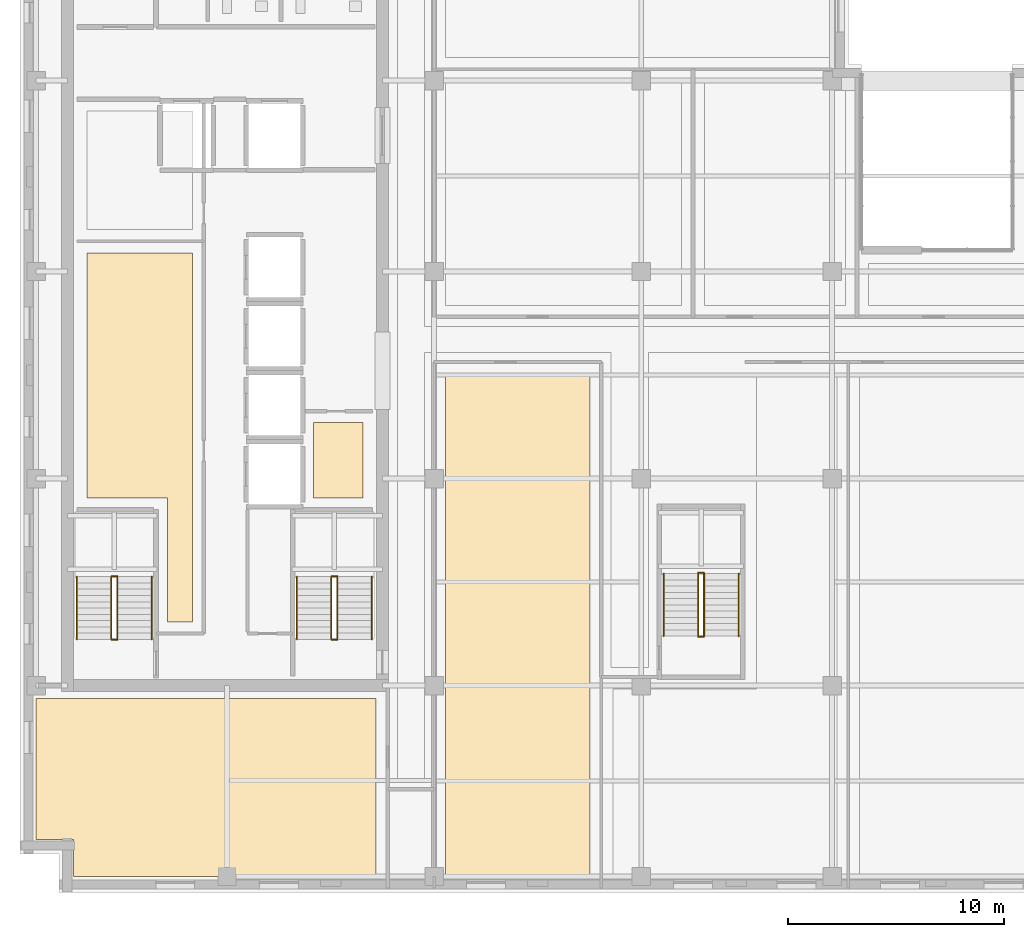
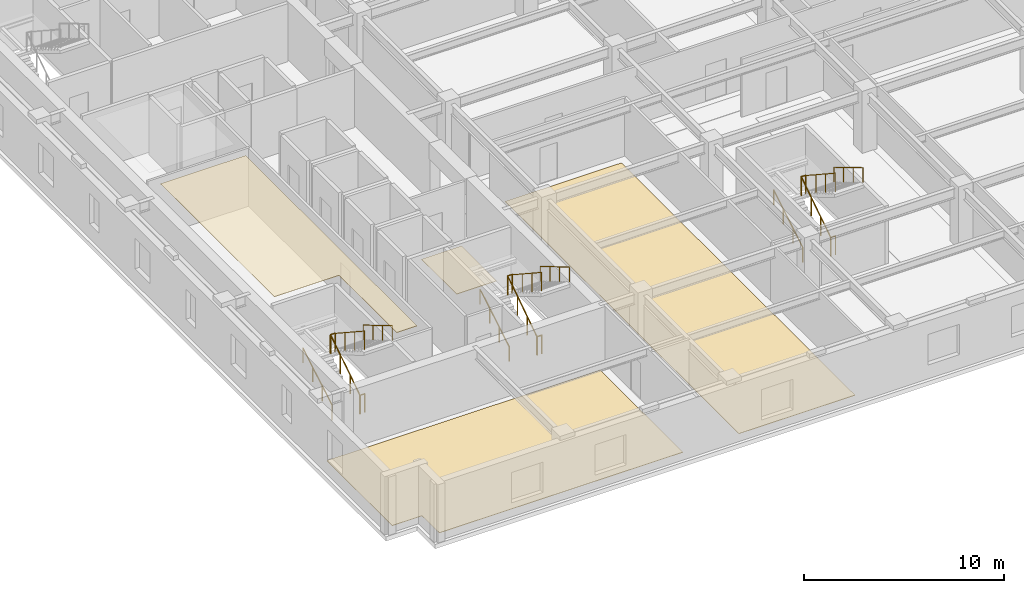
# One storey, part 8 of 12: 18 railings, 4 coverings.
"""IFC4 building model written with IfcOpenShell, lengths in metres."""

from ifc_helpers import new_model, si_unit, direction, frame, origin, origin_2d, place, context, subcontext, project, spatial, polyline, circle, outline, extrude, material, layer, layer_set, type_object, element, save


model = new_model("IFC4")

# Units and contexts
model_context = context("Model", 3, precision=1e-05, world=origin(), true_north=direction((0.0, 1.0)))
body_context = subcontext(model_context, "Body", "Model", "MODEL_VIEW")
ifc_project = project(units=[si_unit("LENGTHUNIT", "METRE"), si_unit("AREAUNIT", "SQUARE_METRE"), si_unit("VOLUMEUNIT", "CUBIC_METRE"), si_unit("PLANEANGLEUNIT", "RADIAN"), si_unit("MASSUNIT", "GRAM", prefix="KILO")], contexts=[model_context])

# Site, building, storey
site_placement = place(None, origin())
site = spatial("IfcSite", under=ifc_project, at=site_placement, CompositionType="ELEMENT")
building_placement = place(site_placement, origin())
building = spatial("IfcBuilding", under=site, at=building_placement, Name="Norrvale University Quadrangle", CompositionType="ELEMENT")
storey_placement = place(building_placement, frame((0.0, 0.0, 225.60009765625)))
storey = spatial("IfcBuildingStorey", under=building, at=storey_placement, Name="L57", CompositionType="ELEMENT", Elevation=225.60009765625)

# Coverings
ifc_material_1 = material(Name="Perforated Acoustic Mineral Ceiling")
ifc_layer_1 = layer(ifc_material_1, 0.02490234375, Name="Perforated Acoustic Mineral Ceiling")
ifc_layer_set_1 = layer_set([ifc_layer_1], Name="Perforated Acoustic Mineral Ceiling")
covering_type_1 = type_object("IfcCoveringType", Name="Covering Acoustic Ceiling 25", PredefinedType="CEILING", material=ifc_layer_set_1)
covering_1_placement = place(storey_placement, frame((0.0, 0.0, 3.514892578125)))
element("IfcCovering", 1, at=covering_1_placement, inside=storey, type_object=covering_type_1, Name="Acoustic Ceiling RM-L57-REC1", PredefinedType="CEILING", context=body_context, shape_type="SweptSolid", body=[
    extrude(outline(polyline([(3.10009765625, 18.300048828125), (3.10009765625, 29.64990234375), (8.0, 29.64990234375), (8.0, 12.550048828125), (6.830078125, 12.550048828125), (6.830078125, 18.300048828125), (3.10009765625, 18.300048828125)])), origin(), (0.0, 0.0, 1.0), 0.02490234375),
])
ifc_material_2 = material(Name="Polished Terrazzo Flooring")
ifc_layer_2 = layer(ifc_material_2, 0.02490234375, Name="Polished Terrazzo Flooring")
ifc_layer_set_2 = layer_set([ifc_layer_2], Name="Polished Terrazzo Flooring")
covering_type_2 = type_object("IfcCoveringType", Name="Covering Terrazzo Floor 30", PredefinedType="FLOORING", material=ifc_layer_set_2)
covering_2_placement = place(storey_placement, origin())
element("IfcCovering", 2, at=covering_2_placement, inside=storey, type_object=covering_type_2, Name="Terrazzo Flooring RM-L57-JAN", PredefinedType="FLOORING", context=body_context, shape_type="SweptSolid", body=[
    extrude(outline(polyline([(13.60009765625, 18.300048828125), (13.60009765625, 21.800048828125), (15.89990234375, 21.800048828125), (15.89990234375, 18.300048828125), (13.60009765625, 18.300048828125)])), origin(), (0.0, 0.0, 1.0), 0.02490234375),
])
covering_3_placement = place(storey_placement, origin())
element("IfcCovering", 3, at=covering_3_placement, inside=storey, type_object=covering_type_2, Name="Terrazzo Flooring RM-L57-SW1", PredefinedType="FLOORING", context=body_context, shape_type="SweptSolid", body=[
    extrude(outline(polyline([(16.5, 9.0), (16.5, 0.75), (2.469970703125, 0.75), (2.469970703125, 2.469970703125), (0.75, 2.469970703125), (0.75, 9.0), (16.5, 9.0)])), origin(), (0.0, 0.0, 1.0), 0.02490234375),
])
covering_4_placement = place(storey_placement, origin())
element("IfcCovering", 4, at=covering_4_placement, inside=storey, type_object=covering_type_2, Name="Terrazzo Flooring RM-L57-SE1", PredefinedType="FLOORING", context=body_context, shape_type="SweptSolid", body=[
    extrude(outline(polyline([(26.419921875, 24.070068359375), (26.419921875, 0.75), (19.72998046875, 0.75), (19.72998046875, 24.070068359375), (26.419921875, 24.070068359375)])), origin(), (0.0, 0.0, 1.0), 0.02490234375),
])

# Railings
ifc_material_3 = material(Name="Steel 350W Painted Balustrade", Category="steel")
railing_type_1 = type_object("IfcRailingType", Name="Railing Stair Guard 1100", PredefinedType="GUARDRAIL", material=ifc_material_3)
for number, where, name in (
    (5, (4.239990234375, 11.719970703125, 0.0), "Stair Floor Well Guard ST-01 L57"),
    (6, (4.239990234375, 14.679931640625, 1.89990234375), "Stair Mid-Landing Slot Guard ST-01 L57"),
):
    element("IfcRailing", number, at=place(storey_placement, frame(where)), inside=storey, type_object=railing_type_1, Name=name, PredefinedType="GUARDRAIL", context=body_context, shape_type="SweptSolid", body=[
        extrude(circle(Radius=0.02392578125, at=origin_2d()), frame((0.0, 0.0, 1.1259765625), z_axis=(1.0, 0.0, 0.0), x_axis=(0.0, 1.0, 0.0)), (0.0, 0.0, 1.0), 0.27001953125),
        extrude(circle(Radius=0.02099609375, at=origin_2d()), origin(), (0.0, 0.0, 1.0), 1.101806640625),
        extrude(circle(Radius=0.02099609375, at=origin_2d()), frame((0.27001953125, 0.0, 0.0)), (0.0, 0.0, 1.0), 1.101806640625),
    ])
railing_1_placement = place(storey_placement, frame((4.239990234375, 11.75, 0.0)))
element("IfcRailing", 7, at=railing_1_placement, inside=storey, type_object=railing_type_1, Name="Stair Lower Flight Inner Guard ST-01 L57", PredefinedType="GUARDRAIL", context=body_context, shape_type="SweptSolid", body=[
    extrude(circle(Radius=0.02392578125, at=origin_2d()), frame((0.0, 0.0, 1.1259765625), z_axis=(0.0, 0.836465582154, 0.548019461216), x_axis=(-1.0, 0.0, 0.0)), (0.0, 0.0, 1.0), 3.466796875),
    extrude(circle(Radius=0.02099609375, at=origin_2d()), origin(), (0.0, 0.0, 1.0), 1.101806640625),
    extrude(circle(Radius=0.02099609375, at=origin_2d()), frame((0.0, 0.966552734375, 0.63330078125)), (0.0, 0.0, 1.0), 1.101806640625),
    extrude(circle(Radius=0.02099609375, at=origin_2d()), frame((0.0, 1.933349609375, 1.2666015625)), (0.0, 0.0, 1.0), 1.101806640625),
    extrude(circle(Radius=0.02099609375, at=origin_2d()), frame((0.0, 2.89990234375, 1.89990234375)), (0.0, 0.0, 1.0), 1.101806640625),
])
railing_2_placement = place(storey_placement, frame((4.510009765625, 14.64990234375, 1.89990234375)))
element("IfcRailing", 8, at=railing_2_placement, inside=storey, type_object=railing_type_1, Name="Stair Upper Flight Inner Guard ST-01 L57", PredefinedType="GUARDRAIL", context=body_context, shape_type="SweptSolid", body=[
    extrude(circle(Radius=0.02392578125, at=origin_2d()), frame((0.0, 0.0, 1.1259765625), z_axis=(0.0, -0.836465582154, 0.548019461216), x_axis=(1.0, 0.0, 0.0)), (0.0, 0.0, 1.0), 3.466796875),
    extrude(circle(Radius=0.02099609375, at=origin_2d()), origin(), (0.0, 0.0, 1.0), 1.101806640625),
    extrude(circle(Radius=0.02099609375, at=origin_2d()), frame((0.0, -0.966552734375, 0.63330078125)), (0.0, 0.0, 1.0), 1.101806640625),
    extrude(circle(Radius=0.02099609375, at=origin_2d()), frame((0.0, -1.933349609375, 1.2666015625)), (0.0, 0.0, 1.0), 1.101806640625),
    extrude(circle(Radius=0.02099609375, at=origin_2d()), frame((0.0, -2.89990234375, 1.89990234375)), (0.0, 0.0, 1.0), 1.101806640625),
])
for number, where, name in (
    (9, (14.43994140625, 11.719970703125, 0.0), "Stair Floor Well Guard ST-03 L57"),
    (10, (14.43994140625, 14.679931640625, 1.89990234375), "Stair Mid-Landing Slot Guard ST-03 L57"),
):
    element("IfcRailing", number, at=place(storey_placement, frame(where)), inside=storey, type_object=railing_type_1, Name=name, PredefinedType="GUARDRAIL", context=body_context, shape_type="SweptSolid", body=[
        extrude(circle(Radius=0.02392578125, at=origin_2d()), frame((0.0, 0.0, 1.1259765625), z_axis=(1.0, 0.0, 0.0), x_axis=(0.0, 1.0, 0.0)), (0.0, 0.0, 1.0), 0.27001953125),
        extrude(circle(Radius=0.02099609375, at=origin_2d()), origin(), (0.0, 0.0, 1.0), 1.101806640625),
        extrude(circle(Radius=0.02099609375, at=origin_2d()), frame((0.27001953125, 0.0, 0.0)), (0.0, 0.0, 1.0), 1.101806640625),
    ])
railing_3_placement = place(storey_placement, frame((14.43994140625, 11.75, 0.0)))
element("IfcRailing", 11, at=railing_3_placement, inside=storey, type_object=railing_type_1, Name="Stair Lower Flight Inner Guard ST-03 L57", PredefinedType="GUARDRAIL", context=body_context, shape_type="SweptSolid", body=[
    extrude(circle(Radius=0.02392578125, at=origin_2d()), frame((0.0, 0.0, 1.1259765625), z_axis=(0.0, 0.836465582154, 0.548019461216), x_axis=(-1.0, 0.0, 0.0)), (0.0, 0.0, 1.0), 3.466796875),
    extrude(circle(Radius=0.02099609375, at=origin_2d()), origin(), (0.0, 0.0, 1.0), 1.101806640625),
    extrude(circle(Radius=0.02099609375, at=origin_2d()), frame((0.0, 0.966552734375, 0.63330078125)), (0.0, 0.0, 1.0), 1.101806640625),
    extrude(circle(Radius=0.02099609375, at=origin_2d()), frame((0.0, 1.933349609375, 1.2666015625)), (0.0, 0.0, 1.0), 1.101806640625),
    extrude(circle(Radius=0.02099609375, at=origin_2d()), frame((0.0, 2.89990234375, 1.89990234375)), (0.0, 0.0, 1.0), 1.101806640625),
])
railing_4_placement = place(storey_placement, frame((14.7099609375, 14.64990234375, 1.89990234375)))
element("IfcRailing", 12, at=railing_4_placement, inside=storey, type_object=railing_type_1, Name="Stair Upper Flight Inner Guard ST-03 L57", PredefinedType="GUARDRAIL", context=body_context, shape_type="SweptSolid", body=[
    extrude(circle(Radius=0.02392578125, at=origin_2d()), frame((0.0, 0.0, 1.1259765625), z_axis=(0.0, -0.836465582154, 0.548019461216), x_axis=(1.0, 0.0, 0.0)), (0.0, 0.0, 1.0), 3.466796875),
    extrude(circle(Radius=0.02099609375, at=origin_2d()), origin(), (0.0, 0.0, 1.0), 1.101806640625),
    extrude(circle(Radius=0.02099609375, at=origin_2d()), frame((0.0, -0.966552734375, 0.63330078125)), (0.0, 0.0, 1.0), 1.101806640625),
    extrude(circle(Radius=0.02099609375, at=origin_2d()), frame((0.0, -1.933349609375, 1.2666015625)), (0.0, 0.0, 1.0), 1.101806640625),
    extrude(circle(Radius=0.02099609375, at=origin_2d()), frame((0.0, -2.89990234375, 1.89990234375)), (0.0, 0.0, 1.0), 1.101806640625),
])
for number, where, name in (
    (13, (31.43994140625, 11.8701171875, 0.0), "Stair Floor Well Guard ST-04 L57"),
    (14, (31.43994140625, 14.830078125, 1.89990234375), "Stair Mid-Landing Slot Guard ST-04 L57"),
):
    element("IfcRailing", number, at=place(storey_placement, frame(where)), inside=storey, type_object=railing_type_1, Name=name, PredefinedType="GUARDRAIL", context=body_context, shape_type="SweptSolid", body=[
        extrude(circle(Radius=0.02392578125, at=origin_2d()), frame((0.0, 0.0, 1.1259765625), z_axis=(1.0, 0.0, 0.0), x_axis=(0.0, 1.0, 0.0)), (0.0, 0.0, 1.0), 0.27001953125),
        extrude(circle(Radius=0.02099609375, at=origin_2d()), origin(), (0.0, 0.0, 1.0), 1.101806640625),
        extrude(circle(Radius=0.02099609375, at=origin_2d()), frame((0.27001953125, 0.0, 0.0)), (0.0, 0.0, 1.0), 1.101806640625),
    ])
railing_5_placement = place(storey_placement, frame((31.43994140625, 11.89990234375, 0.0)))
element("IfcRailing", 15, at=railing_5_placement, inside=storey, type_object=railing_type_1, Name="Stair Lower Flight Inner Guard ST-04 L57", PredefinedType="GUARDRAIL", context=body_context, shape_type="SweptSolid", body=[
    extrude(circle(Radius=0.02392578125, at=origin_2d()), frame((0.0, 0.0, 1.1259765625), z_axis=(0.0, 0.836486729621, 0.547987181573), x_axis=(-1.0, 0.0, 0.0)), (0.0, 0.0, 1.0), 3.467041015625),
    extrude(circle(Radius=0.02099609375, at=origin_2d()), origin(), (0.0, 0.0, 1.0), 1.101806640625),
    extrude(circle(Radius=0.02099609375, at=origin_2d()), frame((0.0, 0.966796875, 0.63330078125)), (0.0, 0.0, 1.0), 1.101806640625),
    extrude(circle(Radius=0.02099609375, at=origin_2d()), frame((0.0, 1.933349609375, 1.2666015625)), (0.0, 0.0, 1.0), 1.101806640625),
    extrude(circle(Radius=0.02099609375, at=origin_2d()), frame((0.0, 2.900146484375, 1.89990234375)), (0.0, 0.0, 1.0), 1.101806640625),
])
railing_6_placement = place(storey_placement, frame((31.7099609375, 14.800048828125, 1.89990234375)))
element("IfcRailing", 16, at=railing_6_placement, inside=storey, type_object=railing_type_1, Name="Stair Upper Flight Inner Guard ST-04 L57", PredefinedType="GUARDRAIL", context=body_context, shape_type="SweptSolid", body=[
    extrude(circle(Radius=0.02392578125, at=origin_2d()), frame((0.0, 0.0, 1.1259765625), z_axis=(0.0, -0.836486729621, 0.547987181573), x_axis=(1.0, 0.0, 0.0)), (0.0, 0.0, 1.0), 3.467041015625),
    extrude(circle(Radius=0.02099609375, at=origin_2d()), origin(), (0.0, 0.0, 1.0), 1.101806640625),
    extrude(circle(Radius=0.02099609375, at=origin_2d()), frame((0.0, -0.966796875, 0.63330078125)), (0.0, 0.0, 1.0), 1.101806640625),
    extrude(circle(Radius=0.02099609375, at=origin_2d()), frame((0.0, -1.933349609375, 1.2666015625)), (0.0, 0.0, 1.0), 1.101806640625),
    extrude(circle(Radius=0.02099609375, at=origin_2d()), frame((0.0, -2.900146484375, 1.89990234375)), (0.0, 0.0, 1.0), 1.101806640625),
])
ifc_material_4 = material(Name="Stainless Steel 316L Handrail", Category="steel")
railing_type_2 = type_object("IfcRailingType", Name="Railing Stair Handrail 920", PredefinedType="HANDRAIL", material=ifc_material_4)
railing_7_placement = place(storey_placement, frame((2.639892578125, 11.75, 0.172607421875)))
element("IfcRailing", 17, at=railing_7_placement, inside=storey, type_object=railing_type_2, Name="Stair Lower Flight Handrail ST-01 L57", PredefinedType="HANDRAIL", context=body_context, shape_type="SweptSolid", body=[
    extrude(circle(Radius=0.02392578125, at=origin_2d()), frame((0.0, 0.0, 0.89599609375), z_axis=(0.0, 0.859141464434, 0.511738159696), x_axis=(-1.0, 0.0, 0.0)), (0.0, 0.0, 1.0), 3.375244140625),
    extrude(circle(Radius=0.02099609375, at=origin_2d()), origin(), (0.0, 0.0, 1.0), 0.871826171875),
    extrude(circle(Radius=0.02099609375, at=origin_2d()), frame((0.0, 0.966552734375, 0.57568359375)), (0.0, 0.0, 1.0), 0.871826171875),
    extrude(circle(Radius=0.02099609375, at=origin_2d()), frame((0.0, 1.933349609375, 1.151611328125)), (0.0, 0.0, 1.0), 0.871826171875),
    extrude(circle(Radius=0.02099609375, at=origin_2d()), frame((0.0, 2.89990234375, 1.727294921875)), (0.0, 0.0, 1.0), 0.871826171875),
])
railing_8_placement = place(storey_placement, frame((6.110107421875, 14.64990234375, 2.072509765625)))
element("IfcRailing", 18, at=railing_8_placement, inside=storey, type_object=railing_type_2, Name="Stair Upper Flight Handrail ST-01 L57", PredefinedType="HANDRAIL", context=body_context, shape_type="SweptSolid", body=[
    extrude(circle(Radius=0.02392578125, at=origin_2d()), frame((0.0, 0.0, 0.89599609375), z_axis=(0.0, -0.859141464434, 0.511738159696), x_axis=(1.0, 0.0, 0.0)), (0.0, 0.0, 1.0), 3.375244140625),
    extrude(circle(Radius=0.02099609375, at=origin_2d()), origin(), (0.0, 0.0, 1.0), 0.871826171875),
    extrude(circle(Radius=0.02099609375, at=origin_2d()), frame((0.0, -0.966552734375, 0.57568359375)), (0.0, 0.0, 1.0), 0.871826171875),
    extrude(circle(Radius=0.02099609375, at=origin_2d()), frame((0.0, -1.933349609375, 1.151611328125)), (0.0, 0.0, 1.0), 0.871826171875),
    extrude(circle(Radius=0.02099609375, at=origin_2d()), frame((0.0, -2.89990234375, 1.727294921875)), (0.0, 0.0, 1.0), 0.871826171875),
])
railing_9_placement = place(storey_placement, frame((12.840087890625, 11.75, 0.172607421875)))
element("IfcRailing", 19, at=railing_9_placement, inside=storey, type_object=railing_type_2, Name="Stair Lower Flight Handrail ST-03 L57", PredefinedType="HANDRAIL", context=body_context, shape_type="SweptSolid", body=[
    extrude(circle(Radius=0.02392578125, at=origin_2d()), frame((0.0, 0.0, 0.89599609375), z_axis=(0.0, 0.859141464434, 0.511738159696), x_axis=(-1.0, 0.0, 0.0)), (0.0, 0.0, 1.0), 3.375244140625),
    extrude(circle(Radius=0.02099609375, at=origin_2d()), origin(), (0.0, 0.0, 1.0), 0.871826171875),
    extrude(circle(Radius=0.02099609375, at=origin_2d()), frame((0.0, 0.966552734375, 0.57568359375)), (0.0, 0.0, 1.0), 0.871826171875),
    extrude(circle(Radius=0.02099609375, at=origin_2d()), frame((0.0, 1.933349609375, 1.151611328125)), (0.0, 0.0, 1.0), 0.871826171875),
    extrude(circle(Radius=0.02099609375, at=origin_2d()), frame((0.0, 2.89990234375, 1.727294921875)), (0.0, 0.0, 1.0), 0.871826171875),
])
railing_10_placement = place(storey_placement, frame((16.31005859375, 14.64990234375, 2.072509765625)))
element("IfcRailing", 20, at=railing_10_placement, inside=storey, type_object=railing_type_2, Name="Stair Upper Flight Handrail ST-03 L57", PredefinedType="HANDRAIL", context=body_context, shape_type="SweptSolid", body=[
    extrude(circle(Radius=0.02392578125, at=origin_2d()), frame((0.0, 0.0, 0.89599609375), z_axis=(0.0, -0.859141464434, 0.511738159696), x_axis=(1.0, 0.0, 0.0)), (0.0, 0.0, 1.0), 3.375244140625),
    extrude(circle(Radius=0.02099609375, at=origin_2d()), origin(), (0.0, 0.0, 1.0), 0.871826171875),
    extrude(circle(Radius=0.02099609375, at=origin_2d()), frame((0.0, -0.966552734375, 0.57568359375)), (0.0, 0.0, 1.0), 0.871826171875),
    extrude(circle(Radius=0.02099609375, at=origin_2d()), frame((0.0, -1.933349609375, 1.151611328125)), (0.0, 0.0, 1.0), 0.871826171875),
    extrude(circle(Radius=0.02099609375, at=origin_2d()), frame((0.0, -2.89990234375, 1.727294921875)), (0.0, 0.0, 1.0), 0.871826171875),
])
railing_11_placement = place(storey_placement, frame((29.840087890625, 11.89990234375, 0.172607421875)))
element("IfcRailing", 21, at=railing_11_placement, inside=storey, type_object=railing_type_2, Name="Stair Lower Flight Handrail ST-04 L57", PredefinedType="HANDRAIL", context=body_context, shape_type="SweptSolid", body=[
    extrude(circle(Radius=0.02392578125, at=origin_2d()), frame((0.0, 0.0, 0.89599609375), z_axis=(0.0, 0.859160404282, 0.51170636083), x_axis=(-1.0, 0.0, 0.0)), (0.0, 0.0, 1.0), 3.37548828125),
    extrude(circle(Radius=0.02099609375, at=origin_2d()), origin(), (0.0, 0.0, 1.0), 0.871826171875),
    extrude(circle(Radius=0.02099609375, at=origin_2d()), frame((0.0, 0.966796875, 0.57568359375)), (0.0, 0.0, 1.0), 0.871826171875),
    extrude(circle(Radius=0.02099609375, at=origin_2d()), frame((0.0, 1.933349609375, 1.151611328125)), (0.0, 0.0, 1.0), 0.871826171875),
    extrude(circle(Radius=0.02099609375, at=origin_2d()), frame((0.0, 2.900146484375, 1.727294921875)), (0.0, 0.0, 1.0), 0.871826171875),
])
railing_12_placement = place(storey_placement, frame((33.31005859375, 14.800048828125, 2.072509765625)))
element("IfcRailing", 22, at=railing_12_placement, inside=storey, type_object=railing_type_2, Name="Stair Upper Flight Handrail ST-04 L57", PredefinedType="HANDRAIL", context=body_context, shape_type="SweptSolid", body=[
    extrude(circle(Radius=0.02392578125, at=origin_2d()), frame((0.0, 0.0, 0.89599609375), z_axis=(0.0, -0.859160404282, 0.51170636083), x_axis=(1.0, 0.0, 0.0)), (0.0, 0.0, 1.0), 3.37548828125),
    extrude(circle(Radius=0.02099609375, at=origin_2d()), origin(), (0.0, 0.0, 1.0), 0.871826171875),
    extrude(circle(Radius=0.02099609375, at=origin_2d()), frame((0.0, -0.966796875, 0.57568359375)), (0.0, 0.0, 1.0), 0.871826171875),
    extrude(circle(Radius=0.02099609375, at=origin_2d()), frame((0.0, -1.933349609375, 1.151611328125)), (0.0, 0.0, 1.0), 0.871826171875),
    extrude(circle(Radius=0.02099609375, at=origin_2d()), frame((0.0, -2.900146484375, 1.727294921875)), (0.0, 0.0, 1.0), 0.871826171875),
])

save(model, "model.ifc")
